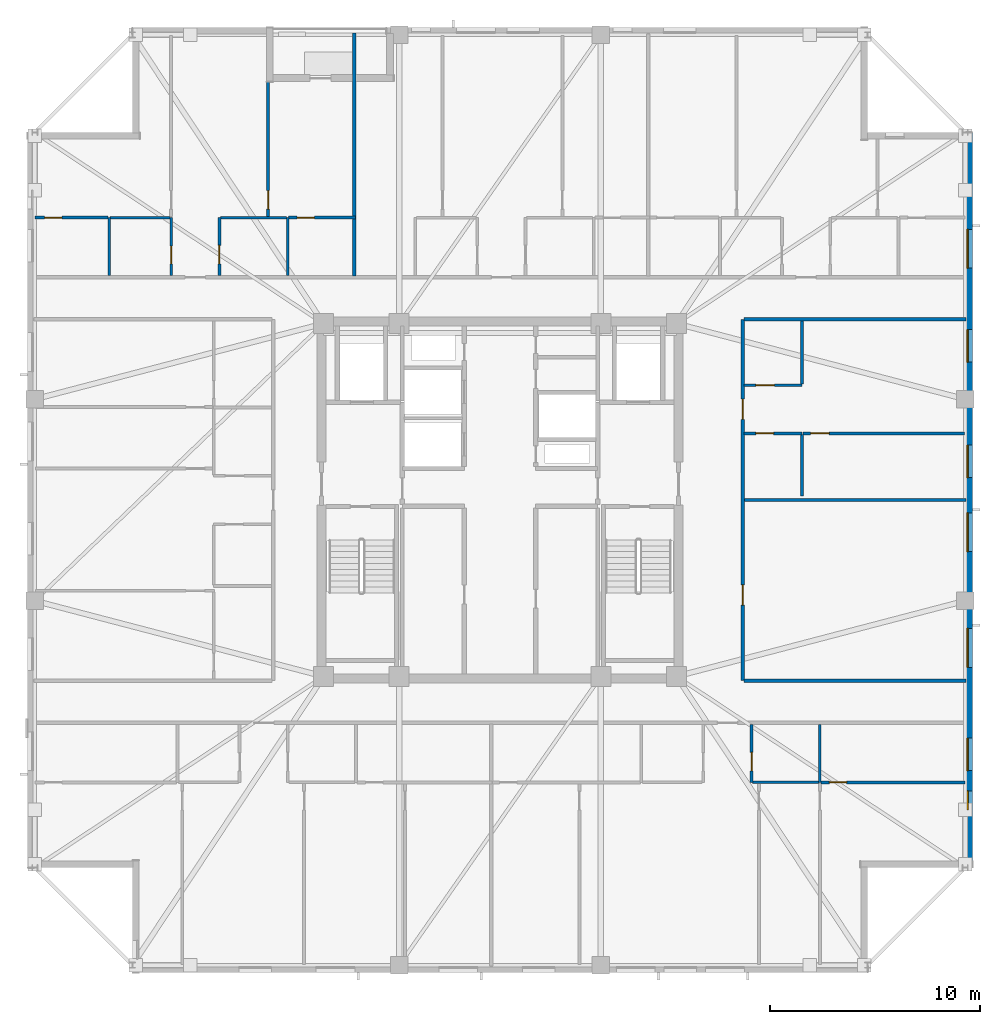
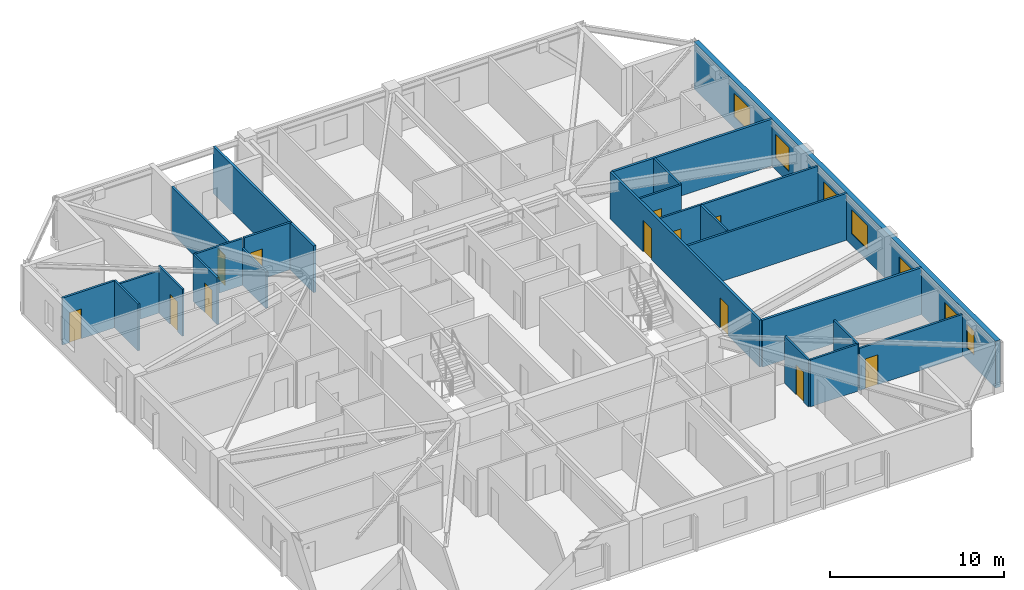
# One storey, part 10 of 17: 24 walls, 12 doors, 7 windows, 19 openings.
"""IFC4 building model written with IfcOpenShell, lengths in metres."""

from ifc_helpers import new_model, si_unit, direction, frame, frame_2d, origin, place, context, subcontext, project, spatial, rectangle, extrude, material, layer, layer_set, type_object, element, fill, save


model = new_model("IFC4")

# Units and contexts
model_context = context("Model", 3, precision=1e-05, world=origin(), true_north=direction((0.0, 1.0)))
body_context = subcontext(model_context, "Body", "Model", "MODEL_VIEW")
ifc_project = project(units=[si_unit("LENGTHUNIT", "METRE"), si_unit("AREAUNIT", "SQUARE_METRE"), si_unit("VOLUMEUNIT", "CUBIC_METRE"), si_unit("PLANEANGLEUNIT", "RADIAN"), si_unit("MASSUNIT", "GRAM", prefix="KILO")], contexts=[model_context])

# Site, building, storey
site_placement = place(None, origin())
site = spatial("IfcSite", under=ifc_project, at=site_placement, CompositionType="ELEMENT")
building_placement = place(site_placement, origin())
building = spatial("IfcBuilding", under=site, at=building_placement, Name="Cairnveth Concourse Tower", CompositionType="ELEMENT")
storey_placement = place(building_placement, frame((0.0, 0.0, 223.5)))
storey = spatial("IfcBuildingStorey", under=building, at=storey_placement, Name="L61", CompositionType="ELEMENT", Elevation=223.5)

# Wall, openings, doors
ifc_material_1 = material(Name="Gypsum Plasterboard Partition", Category="gypsum")
ifc_layer_1 = layer(ifc_material_1, 0.159912109375)
ifc_layer_set_1 = layer_set([ifc_layer_1], Name="Gypsum Plasterboard Partition")
wall_type_1 = type_object("IfcWallType", Name="ACOUSTIC PARTY WALL 180", PredefinedType="PARTITIONING", material=ifc_layer_set_1)
wall_1_placement = place(storey_placement, frame((63.550048828125, 30.39990234375, 0.0), z_axis=(0.0, 0.0, 1.0), x_axis=(0.0, 1.0, 0.0)))
wall_1 = element("IfcWall", 1, at=wall_1_placement, inside=storey, type_object=wall_type_1, Name="Interior Wall IW-L61-037", PredefinedType="PARTITIONING", context=body_context, shape_type="SweptSolid", body=[
    extrude(rectangle(XDim=17.2001953125, YDim=0.159912109375, at=frame_2d((8.60009765625, 0.0))), origin(), (0.0, 0.0, 1.0), 3.2900390625),
])
opening_1_placement = place(wall_1_placement, frame((3.60009765625, 0.0, 0.0)))
opening_1 = element("IfcOpeningElement", 2, at=opening_1_placement, cuts=wall_1, Name="Opening ID11", PredefinedType="OPENING", context=body_context, shape_type="SweptSolid", body=[
    extrude(rectangle(XDim=0.9599609375, YDim=2.1201171875, at=frame_2d((0.47998046875, 1.06005859375))), frame((0.0, 0.08984375, 0.0), z_axis=(0.0, -1.0, 0.0), x_axis=(1.0, 0.0, 0.0)), (0.0, 0.0, 1.0), 0.179931640625),
])
opening_2_placement = place(wall_1_placement, frame((12.43994140625, 0.0, 0.0)))
opening_2 = element("IfcOpeningElement", 3, at=opening_2_placement, cuts=wall_1, Name="Opening ID10", PredefinedType="OPENING", context=body_context, shape_type="SweptSolid", body=[
    extrude(rectangle(XDim=0.9599609375, YDim=2.179931640625, at=frame_2d((0.47998046875, 1.08984375))), frame((0.0, 0.08984375, 0.0), z_axis=(0.0, -1.0, 0.0), x_axis=(1.0, 0.0, 0.0)), (0.0, 0.0, 1.0), 0.179931640625),
])
ifc_material_2 = material(Name="Solid Core Hardwood Timber Leaf", Category="wood")
door_type_1 = type_object("IfcDoorType", Name="FLAT ENTRANCE DOOR 960X2150", OperationType="NOTDEFINED", PredefinedType="DOOR", material=ifc_material_2)
door_1_placement = place(opening_2_placement, origin())
door_1 = element("IfcDoor", 4, at=door_1_placement, inside=storey, type_object=door_type_1, Name="Apartment L61E1 Entrance Door", OperationType="SINGLE_SWING_LEFT", OverallHeight=2.179931640625, OverallWidth=0.9599609375, PredefinedType="DOOR", context=body_context, shape_type="SweptSolid", body=[
    extrude(rectangle(XDim=0.9599609375, YDim=2.179931640625, at=frame_2d((0.47998046875, 1.08984375))), frame((0.0, 0.02490234375, 0.0), z_axis=(0.0, -1.0, 0.0), x_axis=(1.0, 0.0, 0.0)), (0.0, 0.0, 1.0), 0.050048828125),
])
fill(opening_2, door_1)
door_type_2 = type_object("IfcDoorType", Name="INTERIOR SINGLE DOOR 960X2150", OperationType="NOTDEFINED", PredefinedType="DOOR", material=ifc_material_2)
door_2_placement = place(opening_1_placement, origin())
door_2 = element("IfcDoor", 5, at=door_2_placement, inside=storey, type_object=door_type_2, Name="Interior Door DR-L61-059", OperationType="SINGLE_SWING_LEFT", OverallHeight=2.1201171875, OverallWidth=0.9599609375, PredefinedType="DOOR", context=body_context, shape_type="SweptSolid", body=[
    extrude(rectangle(XDim=0.9599609375, YDim=2.1201171875, at=frame_2d((0.47998046875, 1.06005859375))), frame((0.0, 0.02490234375, 0.0), z_axis=(0.0, -1.0, 0.0), x_axis=(1.0, 0.0, 0.0)), (0.0, 0.0, 1.0), 0.050048828125),
])
fill(opening_1, door_2)

# Walls
for number, where, z_axis, x_axis, name in (
    (6, (63.614990234375, 30.39990234375, 0.0), (0.0, 0.0, 1.0), (1.0, 0.0, 0.0), "Interior Wall IW-L61-040"),
    (7, (63.614990234375, 47.60009765625, 0.0), (0.0, 0.0, 1.0), (1.0, 0.0, 0.0), "Interior Wall IW-L61-041"),
):
    element("IfcWall", number, at=place(storey_placement, frame(where, z_axis=z_axis, x_axis=x_axis)), inside=storey, type_object=wall_type_1, Name=name, PredefinedType="PARTITIONING", context=body_context, shape_type="SweptSolid", body=[
        extrude(rectangle(XDim=10.580078125, YDim=0.159912109375, at=frame_2d((5.2900390625, 0.0))), origin(), (0.0, 0.0, 1.0), 3.2900390625),
    ])
wall_2_placement = place(storey_placement, frame((45.0625, 49.677490234375, 0.0), z_axis=(0.0, 0.0, 1.0), x_axis=(0.0, 1.0, 0.0)))
element("IfcWall", 8, at=wall_2_placement, inside=storey, type_object=wall_type_1, Name="Interior Wall IW-L61-075", PredefinedType="PARTITIONING", context=body_context, shape_type="SweptSolid", body=[
    extrude(rectangle(XDim=11.552490234375, YDim=0.159912109375, at=frame_2d((5.7763671875, 0.0))), origin(), (0.0, 0.0, 1.0), 3.2900390625),
])

# Wall, opening, door
ifc_layer_2 = layer(ifc_material_1, 0.139892578125)
ifc_layer_set_2 = layer_set([ifc_layer_2], Name="Gypsum Plasterboard Partition")
wall_type_2 = type_object("IfcWallType", Name="GYPSUM STUD PARTITION 140", PredefinedType="PARTITIONING", material=ifc_layer_set_2)
wall_3_placement = place(storey_placement, frame((67.284912109375, 25.5576171875, 0.0), z_axis=(0.0, 0.0, 1.0), x_axis=(1.0, 0.0, 0.0)))
wall_3 = element("IfcWall", 9, at=wall_3_placement, inside=storey, type_object=wall_type_2, Name="Interior Wall IW-L61-063", PredefinedType="PARTITIONING", context=body_context, shape_type="SweptSolid", body=[
    extrude(rectangle(XDim=6.844970703125, YDim=0.139892578125, at=frame_2d((3.42236328125, 0.0))), origin(), (0.0, 0.0, 1.0), 2.9580078125),
])
opening_3_placement = place(wall_3_placement, frame((0.393798828125, 0.0, 0.0)))
opening_3 = element("IfcOpeningElement", 10, at=opening_3_placement, cuts=wall_3, Name="Opening ID22", PredefinedType="OPENING", context=body_context, shape_type="SweptSolid", body=[
    extrude(rectangle(XDim=0.820068359375, YDim=2.10009765625, at=frame_2d((0.41015625, 1.050048828125))), frame((0.0, 0.079833984375, 0.0), z_axis=(0.0, -1.0, 0.0), x_axis=(1.0, 0.0, 0.0)), (0.0, 0.0, 1.0), 0.159912109375),
])
door_type_3 = type_object("IfcDoorType", Name="INTERIOR WC DOOR 820X2100", OperationType="NOTDEFINED", PredefinedType="DOOR", material=ifc_material_2)
door_3_placement = place(opening_3_placement, origin())
door_3 = element("IfcDoor", 11, at=door_3_placement, inside=storey, type_object=door_type_3, Name="L61S2 Utility Door", OperationType="SINGLE_SWING_LEFT", OverallHeight=2.10009765625, OverallWidth=0.820068359375, PredefinedType="DOOR", context=body_context, shape_type="SweptSolid", body=[
    extrude(rectangle(XDim=0.820068359375, YDim=2.10009765625, at=frame_2d((0.41015625, 1.050048828125))), frame((0.0, 0.02490234375, 0.0), z_axis=(0.0, -1.0, 0.0), x_axis=(1.0, 0.0, 0.0)), (0.0, 0.0, 1.0), 0.050048828125),
])
fill(opening_3, door_3)

wall_4_placement = place(storey_placement, frame((29.8701171875, 52.4423828125, 0.0), z_axis=(0.0, 0.0, 1.0), x_axis=(1.0, 0.0, 0.0)))
wall_4 = element("IfcWall", 12, at=wall_4_placement, inside=storey, type_object=wall_type_2, Name="Interior Wall IW-L61-072", PredefinedType="PARTITIONING", context=body_context, shape_type="SweptSolid", body=[
    extrude(rectangle(XDim=3.47119140625, YDim=0.139892578125, at=frame_2d((1.735595703125, 0.0))), origin(), (0.0, 0.0, 1.0), 3.2900390625),
])
opening_4_placement = place(wall_4_placement, frame((0.449951171875, 0.0, 0.0)))
opening_4 = element("IfcOpeningElement", 13, at=opening_4_placement, cuts=wall_4, Name="Opening ID22", PredefinedType="OPENING", context=body_context, shape_type="SweptSolid", body=[
    extrude(rectangle(XDim=0.820068359375, YDim=2.10009765625, at=frame_2d((0.41015625, 1.050048828125))), frame((0.0, 0.079833984375, 0.0), z_axis=(0.0, -1.0, 0.0), x_axis=(1.0, 0.0, 0.0)), (0.0, 0.0, 1.0), 0.159912109375),
])
door_4_placement = place(opening_4_placement, origin())
door_4 = element("IfcDoor", 14, at=door_4_placement, inside=storey, type_object=door_type_3, Name="L61N1 Dressing Door", OperationType="SINGLE_SWING_LEFT", OverallHeight=2.10009765625, OverallWidth=0.820068359375, PredefinedType="DOOR", context=body_context, shape_type="SweptSolid", body=[
    extrude(rectangle(XDim=0.820068359375, YDim=2.10009765625, at=frame_2d((0.41015625, 1.050048828125))), frame((0.0, 0.02490234375, 0.0), z_axis=(0.0, -1.0, 0.0), x_axis=(1.0, 0.0, 0.0)), (0.0, 0.0, 1.0), 0.050048828125),
])
fill(opening_4, door_4)

wall_5_placement = place(storey_placement, frame((40.96240234375, 52.492431640625, 0.0), z_axis=(0.0, 0.0, 1.0), x_axis=(0.0, 1.0, 0.0)))
wall_5 = element("IfcWall", 15, at=wall_5_placement, inside=storey, type_object=wall_type_2, Name="Interior Wall IW-L61-073", PredefinedType="PARTITIONING", context=body_context, shape_type="SweptSolid", body=[
    extrude(rectangle(XDim=6.447509765625, YDim=0.139892578125, at=frame_2d((3.2236328125, 0.0))), origin(), (0.0, 0.0, 1.0), 3.2900390625),
])
opening_5_placement = place(wall_5_placement, frame((0.360107421875, 0.0, 0.0)))
opening_5 = element("IfcOpeningElement", 16, at=opening_5_placement, cuts=wall_5, Name="Opening ID18", PredefinedType="OPENING", context=body_context, shape_type="SweptSolid", body=[
    extrude(rectangle(XDim=0.8798828125, YDim=2.10009765625, at=frame_2d((0.43994140625, 1.050048828125))), frame((0.0, 0.079833984375, 0.0), z_axis=(0.0, -1.0, 0.0), x_axis=(1.0, 0.0, 0.0)), (0.0, 0.0, 1.0), 0.159912109375),
])
door_type_4 = type_object("IfcDoorType", Name="INTERIOR SINGLE DOOR 880X2100", OperationType="NOTDEFINED", PredefinedType="DOOR", material=ifc_material_2)
door_5_placement = place(opening_5_placement, origin())
door_5 = element("IfcDoor", 17, at=door_5_placement, inside=storey, type_object=door_type_4, Name="L61N1 Bedroom 2 Door", OperationType="SINGLE_SWING_RIGHT", OverallHeight=2.10009765625, OverallWidth=0.8798828125, PredefinedType="DOOR", context=body_context, shape_type="SweptSolid", body=[
    extrude(rectangle(XDim=0.8798828125, YDim=2.10009765625, at=frame_2d((0.43994140625, 1.050048828125))), frame((0.0, 0.02490234375, 0.0), z_axis=(0.0, -1.0, 0.0), x_axis=(1.0, 0.0, 0.0)), (0.0, 0.0, 1.0), 0.050048828125),
])
fill(opening_5, door_5)

wall_6_placement = place(storey_placement, frame((41.941162109375, 52.4423828125, 0.0), z_axis=(0.0, 0.0, 1.0), x_axis=(1.0, 0.0, 0.0)))
wall_6 = element("IfcWall", 18, at=wall_6_placement, inside=storey, type_object=wall_type_2, Name="Interior Wall IW-L61-074", PredefinedType="PARTITIONING", context=body_context, shape_type="SweptSolid", body=[
    extrude(rectangle(XDim=3.17138671875, YDim=0.139892578125, at=frame_2d((1.585693359375, 0.0))), origin(), (0.0, 0.0, 1.0), 3.2900390625),
])
opening_6_placement = place(wall_6_placement, frame((0.39990234375, 0.0, 0.0)))
opening_6 = element("IfcOpeningElement", 19, at=opening_6_placement, cuts=wall_6, Name="Opening ID22", PredefinedType="OPENING", context=body_context, shape_type="SweptSolid", body=[
    extrude(rectangle(XDim=0.820068359375, YDim=2.10009765625, at=frame_2d((0.41015625, 1.050048828125))), frame((0.0, 0.079833984375, 0.0), z_axis=(0.0, -1.0, 0.0), x_axis=(1.0, 0.0, 0.0)), (0.0, 0.0, 1.0), 0.159912109375),
])
door_6_placement = place(opening_6_placement, origin())
door_6 = element("IfcDoor", 20, at=door_6_placement, inside=storey, type_object=door_type_3, Name="L61N1 Utility Door", OperationType="SINGLE_SWING_LEFT", OverallHeight=2.10009765625, OverallWidth=0.820068359375, PredefinedType="DOOR", context=body_context, shape_type="SweptSolid", body=[
    extrude(rectangle(XDim=0.820068359375, YDim=2.10009765625, at=frame_2d((0.41015625, 1.050048828125))), frame((0.0, 0.02490234375, 0.0), z_axis=(0.0, -1.0, 0.0), x_axis=(1.0, 0.0, 0.0)), (0.0, 0.0, 1.0), 0.050048828125),
])
fill(opening_6, door_6)

# Wall
wall_7_placement = place(storey_placement, frame((63.6298828125, 39.0, 0.0), z_axis=(0.0, 0.0, 1.0), x_axis=(1.0, 0.0, 0.0)))
element("IfcWall", 21, at=wall_7_placement, inside=storey, type_object=wall_type_2, Name="Interior Wall IW-L61-107", PredefinedType="PARTITIONING", context=body_context, shape_type="SweptSolid", body=[
    extrude(rectangle(XDim=10.565185546875, YDim=0.139892578125, at=frame_2d((5.28271484375, 0.0))), origin(), (0.0, 0.0, 1.0), 3.2900390625),
])

# Wall, opening, door
wall_8_placement = place(storey_placement, frame((66.429931640625, 42.169921875, 0.0), z_axis=(0.0, 0.0, 1.0), x_axis=(1.0, 0.0, 0.0)))
wall_8 = element("IfcWall", 22, at=wall_8_placement, inside=storey, type_object=wall_type_2, Name="Interior Wall IW-L61-112", PredefinedType="PARTITIONING", context=body_context, shape_type="SweptSolid", body=[
    extrude(rectangle(XDim=7.690185546875, YDim=0.139892578125, at=frame_2d((3.84521484375, 0.0))), origin(), (0.0, 0.0, 1.0), 3.2900390625),
])
opening_7_placement = place(wall_8_placement, frame((0.360107421875, 0.0, 0.0)))
opening_7 = element("IfcOpeningElement", 23, at=opening_7_placement, cuts=wall_8, Name="Opening ID18", PredefinedType="OPENING", context=body_context, shape_type="SweptSolid", body=[
    extrude(rectangle(XDim=0.8798828125, YDim=2.10009765625, at=frame_2d((0.43994140625, 1.050048828125))), frame((0.0, 0.079833984375, 0.0), z_axis=(0.0, -1.0, 0.0), x_axis=(1.0, 0.0, 0.0)), (0.0, 0.0, 1.0), 0.159912109375),
])
door_7_placement = place(opening_7_placement, origin())
door_7 = element("IfcDoor", 24, at=door_7_placement, inside=storey, type_object=door_type_4, Name="L61E1 Master Bedroom Door", OperationType="SINGLE_SWING_RIGHT", OverallHeight=2.10009765625, OverallWidth=0.8798828125, PredefinedType="DOOR", context=body_context, shape_type="SweptSolid", body=[
    extrude(rectangle(XDim=0.8798828125, YDim=2.10009765625, at=frame_2d((0.43994140625, 1.050048828125))), frame((0.0, 0.02490234375, 0.0), z_axis=(0.0, -1.0, 0.0), x_axis=(1.0, 0.0, 0.0)), (0.0, 0.0, 1.0), 0.050048828125),
])
fill(opening_7, door_7)

# Wall
ifc_layer_3 = layer(ifc_material_1, 0.1298828125)
ifc_layer_set_3 = layer_set([ifc_layer_3], Name="Gypsum Plasterboard Partition")
wall_type_3 = type_object("IfcWallType", Name="WET AREA PARTITION 140", PredefinedType="PLUMBINGWALL", material=ifc_layer_set_3)
wall_9_placement = place(storey_placement, frame((67.228759765625, 25.5576171875, 0.0), z_axis=(0.0, 0.0, 1.0), x_axis=(0.0, 1.0, 0.0)))
element("IfcWall", 25, at=wall_9_placement, inside=storey, type_object=wall_type_3, Name="Interior Wall IW-L61-057", PredefinedType="PLUMBINGWALL", context=body_context, shape_type="SweptSolid", body=[
    extrude(rectangle(XDim=2.75, YDim=0.1298828125, at=frame_2d((1.375, 0.0))), origin(), (0.0, 0.0, 1.0), 3.2900390625),
])

# Wall, opening, door
wall_10_placement = place(storey_placement, frame((63.978759765625, 25.5576171875, 0.0), z_axis=(0.0, 0.0, 1.0), x_axis=(0.0, 1.0, 0.0)))
wall_10 = element("IfcWall", 26, at=wall_10_placement, inside=storey, type_object=wall_type_3, Name="Interior Wall IW-L61-058", PredefinedType="PLUMBINGWALL", context=body_context, shape_type="SweptSolid", body=[
    extrude(rectangle(XDim=2.75, YDim=0.1298828125, at=frame_2d((1.375, 0.0))), origin(), (0.0, 0.0, 1.0), 3.2900390625),
])
opening_8_placement = place(wall_10_placement, frame((0.550048828125, 0.0, 0.0)))
opening_8 = element("IfcOpeningElement", 27, at=opening_8_placement, cuts=wall_10, Name="Opening ID18", PredefinedType="OPENING", context=body_context, shape_type="SweptSolid", body=[
    extrude(rectangle(XDim=0.8798828125, YDim=2.10009765625, at=frame_2d((0.43994140625, 1.050048828125))), frame((0.0, 0.074951171875, 0.0), z_axis=(0.0, -1.0, 0.0), x_axis=(1.0, 0.0, 0.0)), (0.0, 0.0, 1.0), 0.14990234375),
])
door_8_placement = place(opening_8_placement, origin())
door_8 = element("IfcDoor", 28, at=door_8_placement, inside=storey, type_object=door_type_4, Name="L61S2 Kitchen Door", OperationType="SINGLE_SWING_RIGHT", OverallHeight=2.10009765625, OverallWidth=0.8798828125, PredefinedType="DOOR", context=body_context, shape_type="SweptSolid", body=[
    extrude(rectangle(XDim=0.8798828125, YDim=2.10009765625, at=frame_2d((0.43994140625, 1.050048828125))), frame((0.0, 0.02490234375, 0.0), z_axis=(0.0, -1.0, 0.0), x_axis=(1.0, 0.0, 0.0)), (0.0, 0.0, 1.0), 0.050048828125),
])
fill(opening_8, door_8)

# Walls
wall_11_placement = place(storey_placement, frame((64.02880859375, 25.5576171875, 0.0), z_axis=(0.0, 0.0, 1.0), x_axis=(1.0, 0.0, 0.0)))
element("IfcWall", 29, at=wall_11_placement, inside=storey, type_object=wall_type_3, Name="Interior Wall IW-L61-059", PredefinedType="PLUMBINGWALL", context=body_context, shape_type="SweptSolid", body=[
    extrude(rectangle(XDim=3.14990234375, YDim=0.1298828125, at=frame_2d((1.574951171875, 0.0))), origin(), (0.0, 0.0, 1.0), 3.2900390625),
])
wall_12_placement = place(storey_placement, frame((33.391357421875, 49.6923828125, 0.0), z_axis=(0.0, 0.0, 1.0), x_axis=(0.0, 1.0, 0.0)))
element("IfcWall", 30, at=wall_12_placement, inside=storey, type_object=wall_type_3, Name="Interior Wall IW-L61-065", PredefinedType="PLUMBINGWALL", context=body_context, shape_type="SweptSolid", body=[
    extrude(rectangle(XDim=2.75, YDim=0.1298828125, at=frame_2d((1.375, 0.0))), origin(), (0.0, 0.0, 1.0), 3.2900390625),
])

# Wall, opening, door
wall_13_placement = place(storey_placement, frame((36.34130859375, 49.6923828125, 0.0), z_axis=(0.0, 0.0, 1.0), x_axis=(0.0, 1.0, 0.0)))
wall_13 = element("IfcWall", 31, at=wall_13_placement, inside=storey, type_object=wall_type_3, Name="Interior Wall IW-L61-066", PredefinedType="PLUMBINGWALL", context=body_context, shape_type="SweptSolid", body=[
    extrude(rectangle(XDim=2.75, YDim=0.1298828125, at=frame_2d((1.375, 0.0))), origin(), (0.0, 0.0, 1.0), 3.2900390625),
])
opening_9_placement = place(wall_13_placement, frame((0.550048828125, 0.0, 0.0)))
opening_9 = element("IfcOpeningElement", 32, at=opening_9_placement, cuts=wall_13, Name="Opening ID21", PredefinedType="OPENING", context=body_context, shape_type="SweptSolid", body=[
    extrude(rectangle(XDim=0.85009765625, YDim=2.080078125, at=frame_2d((0.425048828125, 1.0400390625))), frame((0.0, 0.074951171875, 0.0), z_axis=(0.0, -1.0, 0.0), x_axis=(1.0, 0.0, 0.0)), (0.0, 0.0, 1.0), 0.14990234375),
])
door_type_5 = type_object("IfcDoorType", Name="INTERIOR WC DOOR 850X2100", OperationType="NOTDEFINED", PredefinedType="DOOR", material=ifc_material_2)
door_9_placement = place(opening_9_placement, origin())
door_9 = element("IfcDoor", 33, at=door_9_placement, inside=storey, type_object=door_type_5, Name="L61N1 Bathroom Door", OperationType="SINGLE_SWING_LEFT", OverallHeight=2.080078125, OverallWidth=0.85009765625, PredefinedType="DOOR", context=body_context, shape_type="SweptSolid", body=[
    extrude(rectangle(XDim=0.85009765625, YDim=2.080078125, at=frame_2d((0.425048828125, 1.0400390625))), frame((0.0, 0.02490234375, 0.0), z_axis=(0.0, -1.0, 0.0), x_axis=(1.0, 0.0, 0.0)), (0.0, 0.0, 1.0), 0.050048828125),
])
fill(opening_9, door_9)

# Walls
wall_14_placement = place(storey_placement, frame((33.44140625, 52.4423828125, 0.0), z_axis=(0.0, 0.0, 1.0), x_axis=(1.0, 0.0, 0.0)))
element("IfcWall", 34, at=wall_14_placement, inside=storey, type_object=wall_type_3, Name="Interior Wall IW-L61-067", PredefinedType="PLUMBINGWALL", context=body_context, shape_type="SweptSolid", body=[
    extrude(rectangle(XDim=2.849853515625, YDim=0.1298828125, at=frame_2d((1.4248046875, 0.0))), origin(), (0.0, 0.0, 1.0), 2.9580078125),
])
wall_15_placement = place(storey_placement, frame((41.89111328125, 49.6923828125, 0.0), z_axis=(0.0, 0.0, 1.0), x_axis=(0.0, 1.0, 0.0)))
element("IfcWall", 35, at=wall_15_placement, inside=storey, type_object=wall_type_3, Name="Interior Wall IW-L61-068", PredefinedType="PLUMBINGWALL", context=body_context, shape_type="SweptSolid", body=[
    extrude(rectangle(XDim=2.75, YDim=0.1298828125, at=frame_2d((1.375, 0.0))), origin(), (0.0, 0.0, 1.0), 2.572998046875),
])

# Wall, opening, door
wall_16_placement = place(storey_placement, frame((38.64111328125, 49.6923828125, 0.0), z_axis=(0.0, 0.0, 1.0), x_axis=(0.0, 1.0, 0.0)))
wall_16 = element("IfcWall", 36, at=wall_16_placement, inside=storey, type_object=wall_type_3, Name="Interior Wall IW-L61-069", PredefinedType="PLUMBINGWALL", context=body_context, shape_type="SweptSolid", body=[
    extrude(rectangle(XDim=2.75, YDim=0.1298828125, at=frame_2d((1.375, 0.0))), origin(), (0.0, 0.0, 1.0), 3.2900390625),
])
opening_10_placement = place(wall_16_placement, frame((0.550048828125, 0.0, 0.0)))
opening_10 = element("IfcOpeningElement", 37, at=opening_10_placement, cuts=wall_16, Name="Opening ID18", PredefinedType="OPENING", context=body_context, shape_type="SweptSolid", body=[
    extrude(rectangle(XDim=0.8798828125, YDim=2.10009765625, at=frame_2d((0.43994140625, 1.050048828125))), frame((0.0, 0.074951171875, 0.0), z_axis=(0.0, -1.0, 0.0), x_axis=(1.0, 0.0, 0.0)), (0.0, 0.0, 1.0), 0.14990234375),
])
door_10_placement = place(opening_10_placement, origin())
door_10 = element("IfcDoor", 38, at=door_10_placement, inside=storey, type_object=door_type_4, Name="L61N1 Kitchen Door", OperationType="SINGLE_SWING_RIGHT", OverallHeight=2.10009765625, OverallWidth=0.8798828125, PredefinedType="DOOR", context=body_context, shape_type="SweptSolid", body=[
    extrude(rectangle(XDim=0.8798828125, YDim=2.10009765625, at=frame_2d((0.43994140625, 1.050048828125))), frame((0.0, 0.02490234375, 0.0), z_axis=(0.0, -1.0, 0.0), x_axis=(1.0, 0.0, 0.0)), (0.0, 0.0, 1.0), 0.050048828125),
])
fill(opening_10, door_10)

# Wall
wall_17_placement = place(storey_placement, frame((38.691162109375, 52.4423828125, 0.0), z_axis=(0.0, 0.0, 1.0), x_axis=(1.0, 0.0, 0.0)))
element("IfcWall", 39, at=wall_17_placement, inside=storey, type_object=wall_type_3, Name="Interior Wall IW-L61-070", PredefinedType="PLUMBINGWALL", context=body_context, shape_type="SweptSolid", body=[
    extrude(rectangle(XDim=3.150146484375, YDim=0.1298828125, at=frame_2d((1.5751953125, 0.0))), origin(), (0.0, 0.0, 1.0), 3.2900390625),
])

# Wall, opening, door
wall_18_placement = place(storey_placement, frame((63.6298828125, 42.169921875, 0.0), z_axis=(0.0, 0.0, 1.0), x_axis=(1.0, 0.0, 0.0)))
wall_18 = element("IfcWall", 40, at=wall_18_placement, inside=storey, type_object=wall_type_3, Name="Interior Wall IW-L61-108", PredefinedType="PLUMBINGWALL", context=body_context, shape_type="SweptSolid", body=[
    extrude(rectangle(XDim=2.75, YDim=0.1298828125, at=frame_2d((1.375, 0.0))), origin(), (0.0, 0.0, 1.0), 3.2900390625),
])
opening_11_placement = place(wall_18_placement, frame((0.550048828125, 0.0, 0.0)))
opening_11 = element("IfcOpeningElement", 41, at=opening_11_placement, cuts=wall_18, Name="Opening ID21", PredefinedType="OPENING", context=body_context, shape_type="SweptSolid", body=[
    extrude(rectangle(XDim=0.85009765625, YDim=2.080078125, at=frame_2d((0.425048828125, 1.0400390625))), frame((0.0, 0.074951171875, 0.0), z_axis=(0.0, -1.0, 0.0), x_axis=(1.0, 0.0, 0.0)), (0.0, 0.0, 1.0), 0.14990234375),
])
door_11_placement = place(opening_11_placement, origin())
door_11 = element("IfcDoor", 42, at=door_11_placement, inside=storey, type_object=door_type_5, Name="L61E1 Bathroom Door", OperationType="SINGLE_SWING_RIGHT", OverallHeight=2.080078125, OverallWidth=0.85009765625, PredefinedType="DOOR", context=body_context, shape_type="SweptSolid", body=[
    extrude(rectangle(XDim=0.85009765625, YDim=2.080078125, at=frame_2d((0.425048828125, 1.0400390625))), frame((0.0, 0.02490234375, 0.0), z_axis=(0.0, -1.0, 0.0), x_axis=(1.0, 0.0, 0.0)), (0.0, 0.0, 1.0), 0.050048828125),
])
fill(opening_11, door_11)

# Wall
wall_19_placement = place(storey_placement, frame((66.3798828125, 39.179931640625, 0.0), z_axis=(0.0, 0.0, 1.0), x_axis=(0.0, 1.0, 0.0)))
element("IfcWall", 43, at=wall_19_placement, inside=storey, type_object=wall_type_3, Name="Interior Wall IW-L61-109", PredefinedType="PLUMBINGWALL", context=body_context, shape_type="SweptSolid", body=[
    extrude(rectangle(XDim=2.940185546875, YDim=0.1298828125, at=frame_2d((1.47021484375, 0.0))), origin(), (0.0, 0.0, 1.0), 3.2900390625),
])

# Wall, opening, door
wall_20_placement = place(storey_placement, frame((63.6298828125, 44.469970703125, 0.0), z_axis=(0.0, 0.0, 1.0), x_axis=(1.0, 0.0, 0.0)))
wall_20 = element("IfcWall", 44, at=wall_20_placement, inside=storey, type_object=wall_type_3, Name="Interior Wall IW-L61-110", PredefinedType="PLUMBINGWALL", context=body_context, shape_type="SweptSolid", body=[
    extrude(rectangle(XDim=2.75, YDim=0.1298828125, at=frame_2d((1.375, 0.0))), origin(), (0.0, 0.0, 1.0), 3.2900390625),
])
opening_12_placement = place(wall_20_placement, frame((0.550048828125, 0.0, 0.0)))
opening_12 = element("IfcOpeningElement", 45, at=opening_12_placement, cuts=wall_20, Name="Opening ID18", PredefinedType="OPENING", context=body_context, shape_type="SweptSolid", body=[
    extrude(rectangle(XDim=0.8798828125, YDim=2.10009765625, at=frame_2d((0.43994140625, 1.050048828125))), frame((0.0, 0.074951171875, 0.0), z_axis=(0.0, -1.0, 0.0), x_axis=(1.0, 0.0, 0.0)), (0.0, 0.0, 1.0), 0.14990234375),
])
door_12_placement = place(opening_12_placement, origin())
door_12 = element("IfcDoor", 46, at=door_12_placement, inside=storey, type_object=door_type_4, Name="L61E1 Kitchen Door", OperationType="SINGLE_SWING_LEFT", OverallHeight=2.10009765625, OverallWidth=0.8798828125, PredefinedType="DOOR", context=body_context, shape_type="SweptSolid", body=[
    extrude(rectangle(XDim=0.8798828125, YDim=2.10009765625, at=frame_2d((0.43994140625, 1.050048828125))), frame((0.0, 0.02490234375, 0.0), z_axis=(0.0, -1.0, 0.0), x_axis=(1.0, 0.0, 0.0)), (0.0, 0.0, 1.0), 0.050048828125),
])
fill(opening_12, door_12)

# Wall
wall_21_placement = place(storey_placement, frame((66.3798828125, 44.52001953125, 0.0), z_axis=(0.0, 0.0, 1.0), x_axis=(0.0, 1.0, 0.0)))
element("IfcWall", 47, at=wall_21_placement, inside=storey, type_object=wall_type_3, Name="Interior Wall IW-L61-111", PredefinedType="PLUMBINGWALL", context=body_context, shape_type="SweptSolid", body=[
    extrude(rectangle(XDim=3.014892578125, YDim=0.1298828125, at=frame_2d((1.50732421875, 0.0))), origin(), (0.0, 0.0, 1.0), 3.2900390625),
])

# Wall, openings, windows
ifc_material_3 = material(Name="Melbourne Buff Fired Clay Brick Masonry", Category="masonry")
ifc_layer_4 = layer(ifc_material_3, 0.320068359375)
ifc_layer_set_4 = layer_set([ifc_layer_4], Name="Melbourne Buff Fired Clay Brick Masonry")
wall_type_4 = type_object("IfcWallType", Name="ZONE 3 BRICK PIER SPANDREL WALL 320", PredefinedType="SOLIDWALL", material=ifc_layer_set_4)
wall_22_placement = place(storey_placement, frame((74.340087890625, 56.5, 0.0), z_axis=(0.0, 0.0, 1.0), x_axis=(0.0, -1.0, 0.0)))
wall_22 = element("IfcWall", 48, at=wall_22_placement, inside=storey, type_object=wall_type_4, Name="Exterior Wall EW-L61-S03", PredefinedType="SOLIDWALL", context=body_context, shape_type="SweptSolid", body=[
    extrude(rectangle(XDim=34.701904296875, YDim=0.320068359375, at=frame_2d((17.35107421875, 0.0))), origin(), (0.0, 0.0, 1.0), 3.2900390625),
])
opening_13_placement = place(wall_22_placement, frame((4.612548828125, 0.0, 0.800048828125)))
opening_13 = element("IfcOpeningElement", 49, at=opening_13_placement, cuts=wall_22, Name="Opening W08", PredefinedType="OPENING", context=body_context, shape_type="SweptSolid", body=[
    extrude(rectangle(XDim=1.85009765625, YDim=1.677978515625, at=frame_2d((0.925048828125, 0.8388671875))), frame((0.0, 0.169921875, 0.0), z_axis=(0.0, -1.0, 0.0), x_axis=(1.0, 0.0, 0.0)), (0.0, 0.0, 1.0), 0.340087890625),
])
opening_14_placement = place(wall_22_placement, frame((9.387939453125, 0.0, 0.800048828125)))
opening_14 = element("IfcOpeningElement", 50, at=opening_14_placement, cuts=wall_22, Name="Opening W07", PredefinedType="OPENING", context=body_context, shape_type="SweptSolid", body=[
    extrude(rectangle(XDim=1.550048828125, YDim=1.677978515625, at=frame_2d((0.77490234375, 0.8388671875))), frame((0.0, 0.169921875, 0.0), z_axis=(0.0, -1.0, 0.0), x_axis=(1.0, 0.0, 0.0)), (0.0, 0.0, 1.0), 0.340087890625),
])
opening_15_placement = place(wall_22_placement, frame((14.888427734375, 0.0, 0.800048828125)))
opening_15 = element("IfcOpeningElement", 51, at=opening_15_placement, cuts=wall_22, Name="Opening W07", PredefinedType="OPENING", context=body_context, shape_type="SweptSolid", body=[
    extrude(rectangle(XDim=1.550048828125, YDim=1.677978515625, at=frame_2d((0.77490234375, 0.8388671875))), frame((0.0, 0.169921875, 0.0), z_axis=(0.0, -1.0, 0.0), x_axis=(1.0, 0.0, 0.0)), (0.0, 0.0, 1.0), 0.340087890625),
])
opening_16_placement = place(wall_22_placement, frame((18.113525390625, 0.0, 0.800048828125)))
opening_16 = element("IfcOpeningElement", 52, at=opening_16_placement, cuts=wall_22, Name="Opening W08", PredefinedType="OPENING", context=body_context, shape_type="SweptSolid", body=[
    extrude(rectangle(XDim=1.85009765625, YDim=1.677978515625, at=frame_2d((0.925048828125, 0.8388671875))), frame((0.0, 0.169921875, 0.0), z_axis=(0.0, -1.0, 0.0), x_axis=(1.0, 0.0, 0.0)), (0.0, 0.0, 1.0), 0.340087890625),
])
opening_17_placement = place(wall_22_placement, frame((23.614013671875, 0.0, 0.800048828125)))
opening_17 = element("IfcOpeningElement", 53, at=opening_17_placement, cuts=wall_22, Name="Opening W08", PredefinedType="OPENING", context=body_context, shape_type="SweptSolid", body=[
    extrude(rectangle(XDim=1.85009765625, YDim=1.677978515625, at=frame_2d((0.925048828125, 0.8388671875))), frame((0.0, 0.169921875, 0.0), z_axis=(0.0, -1.0, 0.0), x_axis=(1.0, 0.0, 0.0)), (0.0, 0.0, 1.0), 0.340087890625),
])
opening_18_placement = place(wall_22_placement, frame((28.83935546875, 0.0, 0.800048828125)))
opening_18 = element("IfcOpeningElement", 54, at=opening_18_placement, cuts=wall_22, Name="Opening W07", PredefinedType="OPENING", context=body_context, shape_type="SweptSolid", body=[
    extrude(rectangle(XDim=1.550048828125, YDim=1.677978515625, at=frame_2d((0.77490234375, 0.8388671875))), frame((0.0, 0.169921875, 0.0), z_axis=(0.0, -1.0, 0.0), x_axis=(1.0, 0.0, 0.0)), (0.0, 0.0, 1.0), 0.340087890625),
])
opening_19_placement = place(wall_22_placement, frame((31.35009765625, 0.0, 0.800048828125)))
opening_19 = element("IfcOpeningElement", 55, at=opening_19_placement, cuts=wall_22, Name="Opening W13", PredefinedType="OPENING", context=body_context, shape_type="SweptSolid", body=[
    extrude(rectangle(XDim=0.89990234375, YDim=1.677978515625, at=frame_2d((0.449951171875, 0.8388671875))), frame((0.0, 0.169921875, 0.0), z_axis=(0.0, -1.0, 0.0), x_axis=(1.0, 0.0, 0.0)), (0.0, 0.0, 1.0), 0.340087890625),
])
ifc_material_4 = material(Name="Double Glazed Low-E Clear Glass", Category="glass")
window_type_1 = type_object("IfcWindowType", Name="DEEP-SET APARTMENT LIVING WINDOW 1850X1850", PartitioningType="DOUBLE_PANEL_VERTICAL", PredefinedType="WINDOW", material=ifc_material_4)
window_1_placement = place(opening_13_placement, origin())
window_1 = element("IfcWindow", 56, at=window_1_placement, inside=storey, type_object=window_type_1, Name="Gothic Lancet Window L61-3-1", OverallHeight=1.677978515625, OverallWidth=1.85009765625, PartitioningType="SINGLE_PANEL", PredefinedType="WINDOW", context=body_context, shape_type="SweptSolid", body=[
    extrude(rectangle(XDim=1.85009765625, YDim=1.677978515625, at=frame_2d((0.925048828125, 0.8388671875))), frame((0.0, -0.050048828125, 0.0), z_axis=(0.0, -1.0, 0.0), x_axis=(1.0, 0.0, 0.0)), (0.0, 0.0, 1.0), 0.06005859375),
])
fill(opening_13, window_1)
window_2_placement = place(opening_16_placement, origin())
window_2 = element("IfcWindow", 57, at=window_2_placement, inside=storey, type_object=window_type_1, Name="Gothic Lancet Window L61-3-5", OverallHeight=1.677978515625, OverallWidth=1.85009765625, PartitioningType="SINGLE_PANEL", PredefinedType="WINDOW", context=body_context, shape_type="SweptSolid", body=[
    extrude(rectangle(XDim=1.85009765625, YDim=1.677978515625, at=frame_2d((0.925048828125, 0.8388671875))), frame((0.0, -0.050048828125, 0.0), z_axis=(0.0, -1.0, 0.0), x_axis=(1.0, 0.0, 0.0)), (0.0, 0.0, 1.0), 0.06005859375),
])
fill(opening_16, window_2)
window_3_placement = place(opening_17_placement, origin())
window_3 = element("IfcWindow", 58, at=window_3_placement, inside=storey, type_object=window_type_1, Name="Gothic Lancet Window L61-3-7", OverallHeight=1.677978515625, OverallWidth=1.85009765625, PartitioningType="SINGLE_PANEL", PredefinedType="WINDOW", context=body_context, shape_type="SweptSolid", body=[
    extrude(rectangle(XDim=1.85009765625, YDim=1.677978515625, at=frame_2d((0.925048828125, 0.8388671875))), frame((0.0, -0.050048828125, 0.0), z_axis=(0.0, -1.0, 0.0), x_axis=(1.0, 0.0, 0.0)), (0.0, 0.0, 1.0), 0.06005859375),
])
fill(opening_17, window_3)
window_type_2 = type_object("IfcWindowType", Name="DEEP-SET APARTMENT WINDOW 1550X1800", PartitioningType="DOUBLE_PANEL_VERTICAL", PredefinedType="WINDOW", material=ifc_material_4)
window_4_placement = place(opening_14_placement, origin())
window_4 = element("IfcWindow", 59, at=window_4_placement, inside=storey, type_object=window_type_2, Name="Gothic Lancet Window L61-3-2", OverallHeight=1.677978515625, OverallWidth=1.550048828125, PartitioningType="SINGLE_PANEL", PredefinedType="WINDOW", context=body_context, shape_type="SweptSolid", body=[
    extrude(rectangle(XDim=1.550048828125, YDim=1.677978515625, at=frame_2d((0.77490234375, 0.8388671875))), frame((0.0, -0.050048828125, 0.0), z_axis=(0.0, -1.0, 0.0), x_axis=(1.0, 0.0, 0.0)), (0.0, 0.0, 1.0), 0.06005859375),
])
fill(opening_14, window_4)
window_5_placement = place(opening_15_placement, origin())
window_5 = element("IfcWindow", 60, at=window_5_placement, inside=storey, type_object=window_type_2, Name="Gothic Lancet Window L61-3-4", OverallHeight=1.677978515625, OverallWidth=1.550048828125, PartitioningType="SINGLE_PANEL", PredefinedType="WINDOW", context=body_context, shape_type="SweptSolid", body=[
    extrude(rectangle(XDim=1.550048828125, YDim=1.677978515625, at=frame_2d((0.77490234375, 0.8388671875))), frame((0.0, -0.050048828125, 0.0), z_axis=(0.0, -1.0, 0.0), x_axis=(1.0, 0.0, 0.0)), (0.0, 0.0, 1.0), 0.06005859375),
])
fill(opening_15, window_5)
window_6_placement = place(opening_18_placement, origin())
window_6 = element("IfcWindow", 61, at=window_6_placement, inside=storey, type_object=window_type_2, Name="Gothic Lancet Window L61-3-8", OverallHeight=1.677978515625, OverallWidth=1.550048828125, PartitioningType="SINGLE_PANEL", PredefinedType="WINDOW", context=body_context, shape_type="SweptSolid", body=[
    extrude(rectangle(XDim=1.550048828125, YDim=1.677978515625, at=frame_2d((0.77490234375, 0.8388671875))), frame((0.0, -0.050048828125, 0.0), z_axis=(0.0, -1.0, 0.0), x_axis=(1.0, 0.0, 0.0)), (0.0, 0.0, 1.0), 0.06005859375),
])
fill(opening_18, window_6)
window_type_3 = type_object("IfcWindowType", Name="DEEP-SET BEDROOM LANCET WINDOW 900X1750", PartitioningType="DOUBLE_PANEL_VERTICAL", PredefinedType="WINDOW", material=ifc_material_4)
window_7_placement = place(opening_19_placement, origin())
window_7 = element("IfcWindow", 62, at=window_7_placement, inside=storey, type_object=window_type_3, Name="Dwelling Lancet Window L61-DW2", OverallHeight=1.677978515625, OverallWidth=0.89990234375, PartitioningType="SINGLE_PANEL", PredefinedType="WINDOW", context=body_context, shape_type="SweptSolid", body=[
    extrude(rectangle(XDim=0.89990234375, YDim=1.677978515625, at=frame_2d((0.449951171875, 0.8388671875))), frame((0.0, -0.0400390625, 0.0), z_axis=(0.0, -1.0, 0.0), x_axis=(1.0, 0.0, 0.0)), (0.0, 0.0, 1.0), 0.06005859375),
])
fill(opening_19, window_7)

save(model, "model.ifc")
